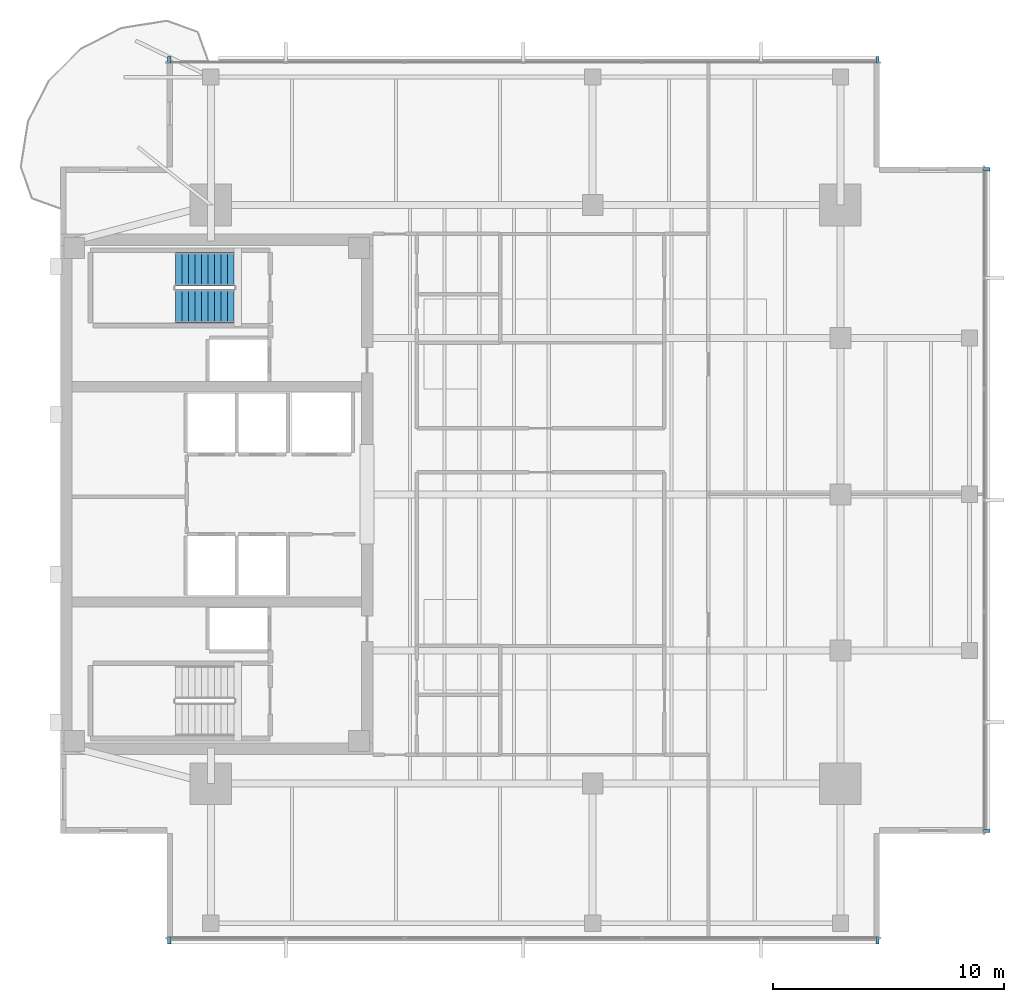
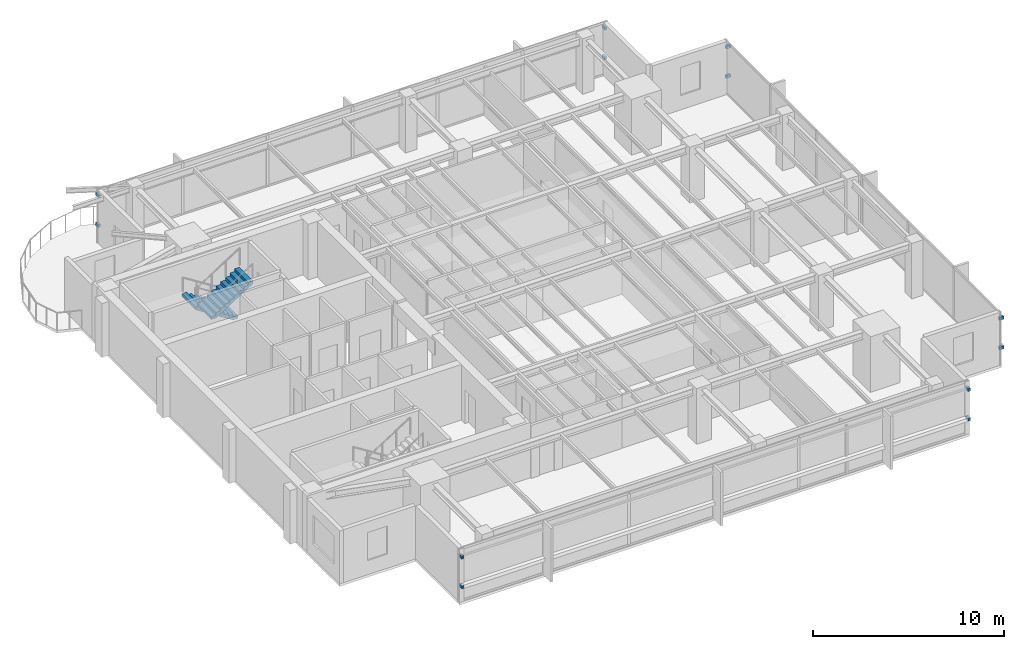
# One storey, part 10 of 14: 12 discrete accessories, 2 stair flights, 1 element without a shape of its own.
"""IFC4 building model written with IfcOpenShell, lengths in metres."""

import ifcopenshell
import ifcopenshell.guid

model = None  # the IFC model being written
_history = None  # IfcOwnerHistory: only IFC2X3 demands one
_inside = {}  # id of a spatial element -> (the spatial element, [elements in it])
_under = {}  # id of a project, library or spatial element -> (it, [spatial elements below it])
_declared = {}  # id of a project -> (the project, [libraries it declares])
_typed = {}  # id of a type object -> (the type object, [elements of that type])
_made_of = {}  # id of a material, layer set ... -> (it, [elements and type objects made of it])


def new_model(schema):
    """Start an empty IFC model of exactly this schema.

    Asked for "IFC4X3", IfcOpenShell would pick the latest addendum, in which some entities
    have other attributes; the version numbers below select the first issue.
    IFC2X3 requires an IfcOwnerHistory on every rooted entity: one is made here for all.
    """
    global model, _history
    if schema == "IFC4X3":
        model = ifcopenshell.file(schema_version=(4, 3, 0, 0))
    else:
        model = ifcopenshell.file(schema=schema)
    _inside.clear()
    _under.clear()
    _declared.clear()
    _typed.clear()
    _made_of.clear()
    _history = None
    if model.schema == "IFC2X3":
        org = make("IfcOrganization", Name="unknown")
        user = make(
            "IfcPersonAndOrganization",
            ThePerson=make("IfcPerson", FamilyName="unknown"),
            TheOrganization=org,
        )
        app = make(
            "IfcApplication",
            ApplicationDeveloper=org,
            Version="unknown",
            ApplicationFullName="unknown",
            ApplicationIdentifier="unknown",
        )
        _history = make(
            "IfcOwnerHistory",
            OwningUser=user,
            OwningApplication=app,
            ChangeAction="ADDED",
            CreationDate=0,
        )
    return model


def make(cls, **values):
    """One entity of the class cls with the attributes given. An attribute that is None is left unset."""
    return model.create_entity(
        cls, **{name: value for name, value in values.items() if value is not None}
    )


def rooted(cls, **values):
    """An entity with a GlobalId (a new one), such as an element, a storey or a relation."""
    return make(cls, GlobalId=ifcopenshell.guid.new(), OwnerHistory=_history, **values)


def si_unit(unit_type, name, prefix=None):
    """IfcSIUnit, for example si_unit("LENGTHUNIT", "METRE", prefix="MILLI")."""
    return make("IfcSIUnit", UnitType=unit_type, Prefix=prefix, Name=name)


def assignment(units):
    """IfcUnitAssignment: the units of a project."""
    return None if units is None else make("IfcUnitAssignment", Units=units)


def point(xyz):
    """IfcCartesianPoint."""
    return None if xyz is None else make("IfcCartesianPoint", Coordinates=xyz)


def direction(xyz):
    """IfcDirection."""
    return None if xyz is None else make("IfcDirection", DirectionRatios=xyz)


def frame(location, z_axis=None, x_axis=None):
    """IfcAxis2Placement3D, a coordinate frame: its origin and axes. An axis left out is left unset."""
    return make(
        "IfcAxis2Placement3D",
        Location=point(location),
        Axis=direction(z_axis),
        RefDirection=direction(x_axis),
    )


def frame_2d(location, x_axis=None):
    """IfcAxis2Placement2D, a coordinate frame in the plane: its origin and x axis."""
    return make(
        "IfcAxis2Placement2D", Location=point(location), RefDirection=direction(x_axis)
    )


def origin():
    """The frame at (0, 0, 0) with its axes left unset."""
    return frame((0.0, 0.0, 0.0))


def origin_2d():
    """The frame at (0, 0) in the plane with its x axis left unset."""
    return frame_2d((0.0, 0.0))


def place(relative_to, where):
    """IfcLocalPlacement: puts the frame where relative to a parent placement (None: the world)."""
    return make(
        "IfcLocalPlacement", PlacementRelTo=relative_to, RelativePlacement=where
    )


def context(
    kind, dimensions, precision=None, world=None, true_north=None, identifier=None
):
    """IfcGeometricRepresentationContext, for example the 3D "Model" context."""
    return make(
        "IfcGeometricRepresentationContext",
        ContextIdentifier=identifier,
        ContextType=kind,
        CoordinateSpaceDimension=dimensions,
        Precision=precision,
        WorldCoordinateSystem=world,
        TrueNorth=true_north,
    )


def subcontext(parent, identifier, kind, view, scale=None):
    """IfcGeometricRepresentationSubContext, for example "Body" below "Model"."""
    return make(
        "IfcGeometricRepresentationSubContext",
        ContextIdentifier=identifier,
        ContextType=kind,
        ParentContext=parent,
        TargetScale=scale,
        TargetView=view,
    )


def project(units=None, contexts=None):
    """IfcProject with its units and contexts."""
    return rooted(
        "IfcProject",
        Name="project",
        RepresentationContexts=contexts,
        UnitsInContext=assignment(units),
    )


def spatial(cls, under=None, at=None, **own):
    """A site, building, storey or space (cls), placed at a placement, below another one or the project."""
    s = rooted(cls, ObjectPlacement=at, **own)
    if under is not None:
        _under.setdefault(under.id(), (under, []))[1].append(s)
    return s


def polyline(points):
    """IfcPolyline through the points."""
    return make("IfcPolyline", Points=[point(p) for p in points])


def profile(cls, at=None, kind="AREA", **sizes):
    """A parametric profile (cls). Its sizes go by their IFC names, for example OverallWidth=200.0."""
    return make(cls, ProfileType=kind, Position=at, **sizes)


def rectangle(**sizes):
    """IfcRectangleProfileDef."""
    return profile("IfcRectangleProfileDef", **sizes)


def outline(outer, holes=None, kind="AREA"):
    """IfcArbitraryClosedProfileDef: a profile drawn as a closed curve; with holes, ...WithVoids."""
    if holes is None:
        return make("IfcArbitraryClosedProfileDef", ProfileType=kind, OuterCurve=outer)
    return make(
        "IfcArbitraryProfileDefWithVoids",
        ProfileType=kind,
        OuterCurve=outer,
        InnerCurves=holes,
    )


def extrude(swept, where, along, depth):
    """IfcExtrudedAreaSolid: the profile swept, set in the frame where, extruded along a direction by depth."""
    return make(
        "IfcExtrudedAreaSolid",
        SweptArea=swept,
        Position=where,
        ExtrudedDirection=direction(along),
        Depth=depth,
    )


def shape(context_of_items, identifier, shape_type, items):
    """IfcShapeRepresentation: the items that make up one representation, for example the "Body"."""
    return make(
        "IfcShapeRepresentation",
        ContextOfItems=context_of_items,
        RepresentationIdentifier=identifier,
        RepresentationType=shape_type,
        Items=items,
    )


def material(Name=None, Category=None):
    """IfcMaterial."""
    return make("IfcMaterial", Name=Name, Category=Category)


def made_of(thing, what):
    """Note that an element or type object is made of a material, layer set ...; save() writes the relation."""
    if what is not None:
        _made_of.setdefault(what.id(), (what, []))[1].append(thing)
    return thing


def type_object(cls, material=None, **own):
    """A type object (cls), such as IfcWallType, which elements share."""
    return made_of(rooted(cls, **own), material)


def element(
    cls,
    number,
    at=None,
    inside=None,
    cuts=None,
    type_object=None,
    material=None,
    context=None,
    identifier="Body",
    shape_type=None,
    held_by="IfcProductDefinitionShape",
    body=None,
    shapes=None,
    **own,
):
    """One element of the class cls, such as IfcWall. Its Tag is "e" and its number.

    at: its placement. inside: the storey or other place that contains it. cuts: it is an
    opening in that element (IfcRelVoidsElement). A single representation is given by context,
    identifier, shape_type and body (its items); several are given by shapes. held_by: the class
    of the entity that holds the representations. save() writes the other relations.
    """
    e = rooted(cls, Tag="e%d" % number, ObjectPlacement=at, **own)
    if body is not None:
        shapes = [shape(context, identifier, shape_type, body)]
    if shapes is not None:
        e.Representation = make(held_by, Representations=shapes)
    if inside is not None:
        _inside.setdefault(inside.id(), (inside, []))[1].append(e)
    if cuts is not None:
        rooted(
            "IfcRelVoidsElement", RelatingBuildingElement=cuts, RelatedOpeningElement=e
        )
    if type_object is not None:
        _typed.setdefault(type_object.id(), (type_object, []))[1].append(e)
    return made_of(e, material)


def aggregate(whole, parts):
    """IfcRelAggregates: a whole, such as a stair, and the parts it consists of."""
    return rooted("IfcRelAggregates", RelatingObject=whole, RelatedObjects=parts)


def save(model, path):
    """Write the relations noted so far, then the file.

    IfcRelAggregates (storeys below a building ...), IfcRelContainedInSpatialStructure (elements
    in a storey), IfcRelDefinesByType, IfcRelAssociatesMaterial and IfcRelDeclares: one each for
    every whole, place, type object, material and project.
    """
    for whole, parts in _under.values():
        aggregate(whole, parts)
    for where, things in _inside.values():
        rooted(
            "IfcRelContainedInSpatialStructure",
            RelatedElements=things,
            RelatingStructure=where,
        )
    for kind, things in _typed.values():
        rooted("IfcRelDefinesByType", RelatedObjects=things, RelatingType=kind)
    for what, things in _made_of.values():
        rooted("IfcRelAssociatesMaterial", RelatedObjects=things, RelatingMaterial=what)
    for by, libraries in _declared.values():
        rooted("IfcRelDeclares", RelatingContext=by, RelatedDefinitions=libraries)
    model.write(path)


model = new_model("IFC4")

# Units and contexts
model_context = context("Model", 3, precision=1e-05, world=origin(), true_north=direction((0.0, 1.0)))
body_context = subcontext(model_context, "Body", "Model", "MODEL_VIEW")
ifc_project = project(units=[si_unit("LENGTHUNIT", "METRE"), si_unit("AREAUNIT", "SQUARE_METRE"), si_unit("VOLUMEUNIT", "CUBIC_METRE"), si_unit("PLANEANGLEUNIT", "RADIAN"), si_unit("MASSUNIT", "GRAM", prefix="KILO")], contexts=[model_context])

# Site, building, storey
site_placement = place(None, origin())
site = spatial("IfcSite", under=ifc_project, at=site_placement, CompositionType="ELEMENT")
building_placement = place(site_placement, origin())
building = spatial("IfcBuilding", under=site, at=building_placement, Name="Kinhvarn Gate Tower", CompositionType="ELEMENT")
storey_placement = place(building_placement, frame((0.0, 0.0, 259.89990234375)))
storey = spatial("IfcBuildingStorey", under=building, at=storey_placement, Name="L69", CompositionType="ELEMENT", Elevation=259.89990234375)

# Stair, stair flights
ifc_material_1 = material(Name="Concrete C40/50", Category="concrete")
stair_type = type_object("IfcStairType", Name="STR-DLG-178", PredefinedType="HALF_TURN_STAIR", material=ifc_material_1)
stair_placement = place(storey_placement, origin())
stair = element("IfcStair", 1, at=stair_placement, inside=storey, type_object=stair_type, Name="L69 Core Smokeproof Exit Stair ST2", PredefinedType="HALF_TURN_STAIR")
stair_flight_type = type_object("IfcStairFlightType", Name="STF-DLG-178", PredefinedType="STRAIGHT", material=ifc_material_1)
stair_flight_1_placement = place(storey_placement, frame((12.0, 34.97509765625, 0.0), z_axis=(0.0, 0.0, 1.0), x_axis=(-1.0, 0.0, 0.0)))
stair_flight_1 = element("IfcStairFlight", 2, at=stair_flight_1_placement, type_object=stair_flight_type, Name="ST2 flight 1", NumberOfRisers=10, NumberOfTreads=9, PredefinedType="STRAIGHT", RiserHeight=0.1775, TreadLength=0.28, context=body_context, shape_type="SweptSolid", body=[
    extrude(outline(polyline([(0.0, 0.0), (0.0, 0.177490234375), (0.280029296875, 0.177490234375), (0.280029296875, 0.35498046875), (0.56005859375, 0.35498046875), (0.56005859375, 0.532470703125), (0.840087890625, 0.532470703125), (0.840087890625, 0.7099609375), (1.1201171875, 0.7099609375), (1.1201171875, 0.887451171875), (1.39990234375, 0.887451171875), (1.39990234375, 1.06494140625), (1.679931640625, 1.06494140625), (1.679931640625, 1.242431640625), (1.9599609375, 1.242431640625), (1.9599609375, 1.419921875), (2.239990234375, 1.419921875), (2.239990234375, 1.597412109375), (2.52001953125, 1.597412109375), (2.52001953125, 1.77490234375), (2.52001953125, 1.419921875), (0.280029296875, 0.0), (0.0, 0.0)])), frame((0.0, 0.72509765625, 0.0), z_axis=(0.0, -1.0, 0.0), x_axis=(1.0, 0.0, 0.0)), (0.0, 0.0, 1.0), 1.449951171875),
])
stair_flight_2_placement = place(storey_placement, frame((9.47998046875, 33.375, 1.775146484375), z_axis=(0.0, 0.0, 1.0), x_axis=(1.0, 0.0, 0.0)))
stair_flight_2 = element("IfcStairFlight", 3, at=stair_flight_2_placement, type_object=stair_flight_type, Name="ST2 flight 2", NumberOfRisers=10, NumberOfTreads=9, PredefinedType="STRAIGHT", RiserHeight=0.1775, TreadLength=0.28, context=body_context, shape_type="SweptSolid", body=[
    extrude(outline(polyline([(0.0, 0.0), (0.0, 0.177490234375), (0.280029296875, 0.177490234375), (0.280029296875, 0.35498046875), (0.56005859375, 0.35498046875), (0.56005859375, 0.532470703125), (0.840087890625, 0.532470703125), (0.840087890625, 0.7099609375), (1.1201171875, 0.7099609375), (1.1201171875, 0.887451171875), (1.39990234375, 0.887451171875), (1.39990234375, 1.06494140625), (1.679931640625, 1.06494140625), (1.679931640625, 1.242431640625), (1.9599609375, 1.242431640625), (1.9599609375, 1.419921875), (2.239990234375, 1.419921875), (2.239990234375, 1.597412109375), (2.52001953125, 1.597412109375), (2.52001953125, 1.77490234375), (2.52001953125, 1.419921875), (0.280029296875, 0.0), (0.0, 0.0)])), frame((0.0, 0.72509765625, 0.0), z_axis=(0.0, -1.0, 0.0), x_axis=(1.0, 0.0, 0.0)), (0.0, 0.0, 1.0), 1.449951171875),
])
aggregate(stair, [stair_flight_1, stair_flight_2])

# Discrete accessories
ifc_material_2 = material(Name="Anodised aluminium AW-6063", Category="aluminium")
discrete_accessory_type = type_object("IfcDiscreteAccessoryType", Name="ACC-BRK-01", PredefinedType="BRACKET", material=ifc_material_2)
for number, where, z_axis, x_axis, name in (
    (4, (9.199951171875, 5.969970703125, 0.9599609375), (0.0, 0.0, 1.0), (1.0, 0.0, 0.0), "Baguette Support Bracket BK-01 (L69)"),
    (5, (9.199951171875, 5.969970703125, 2.85009765625), (0.0, 0.0, 1.0), (1.0, 0.0, 0.0), "Baguette Support Bracket BK-01 (L69)"),
    (6, (39.800048828125, 5.969970703125, 0.9599609375), (0.0, 0.0, 1.0), (1.0, 0.0, 0.0), "Baguette Support Bracket BK-01 (L69)"),
    (7, (39.800048828125, 5.969970703125, 2.85009765625), (0.0, 0.0, 1.0), (1.0, 0.0, 0.0), "Baguette Support Bracket BK-01 (L69)"),
    (8, (39.800048828125, 44.030029296875, 0.9599609375), (0.0, 0.0, 1.0), (-1.0, 0.0, 0.0), "Baguette Support Bracket BK-01 (L69)"),
    (9, (39.800048828125, 44.030029296875, 2.85009765625), (0.0, 0.0, 1.0), (-1.0, 0.0, 0.0), "Baguette Support Bracket BK-01 (L69)"),
    (10, (9.199951171875, 44.030029296875, 0.9599609375), (0.0, 0.0, 1.0), (-1.0, 0.0, 0.0), "Baguette Support Bracket BK-01 (L69)"),
    (11, (9.199951171875, 44.030029296875, 2.85009765625), (0.0, 0.0, 1.0), (-1.0, 0.0, 0.0), "Baguette Support Bracket BK-01 (L69)"),
    (12, (44.530029296875, 10.699951171875, 0.9599609375), (0.0, 0.0, 1.0), (0.0, 1.0, 0.0), "Baguette Support Bracket BK-01 (L69)"),
    (13, (44.530029296875, 10.699951171875, 2.85009765625), (0.0, 0.0, 1.0), (0.0, 1.0, 0.0), "Baguette Support Bracket BK-01 (L69)"),
    (14, (44.530029296875, 39.300048828125, 0.9599609375), (0.0, 0.0, 1.0), (0.0, 1.0, 0.0), "Baguette Support Bracket BK-01 (L69)"),
    (15, (44.530029296875, 39.300048828125, 2.85009765625), (0.0, 0.0, 1.0), (0.0, 1.0, 0.0), "Baguette Support Bracket BK-01 (L69)"),
):
    element("IfcDiscreteAccessory", number, at=place(storey_placement, frame(where, z_axis=z_axis, x_axis=x_axis)), inside=storey, type_object=discrete_accessory_type, Name=name, PredefinedType="BRACKET", context=body_context, shape_type="SweptSolid", body=[
        extrude(rectangle(XDim=0.139892578125, YDim=0.280029296875, at=origin_2d()), origin(), (0.0, 0.0, 1.0), 0.179931640625),
    ])

save(model, "model.ifc")
